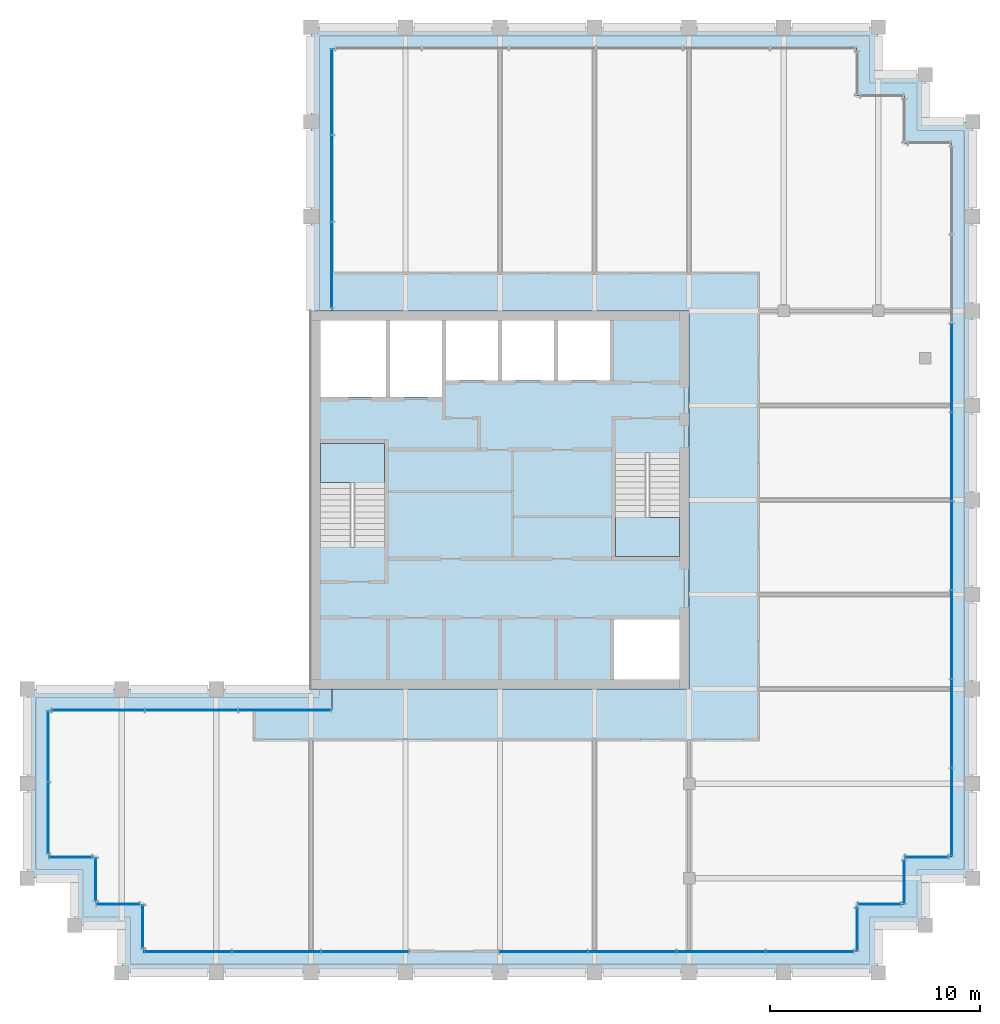
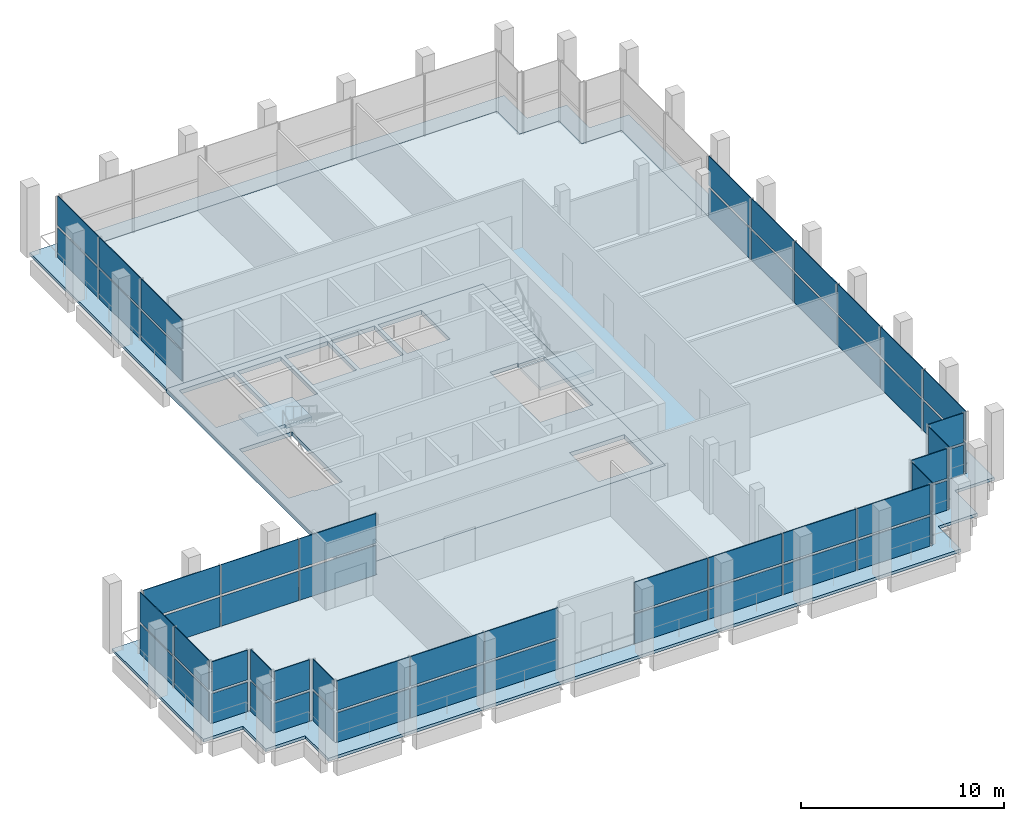
# One storey, part 13 of 17: 58 plates, 5 slabs, 16 elements without a shape of their own.
"""IFC4 building model written with IfcOpenShell, lengths in metres."""

import ifcopenshell
import ifcopenshell.guid

model = None  # the IFC model being written
_history = None  # IfcOwnerHistory: only IFC2X3 demands one
_inside = {}  # id of a spatial element -> (the spatial element, [elements in it])
_under = {}  # id of a project, library or spatial element -> (it, [spatial elements below it])
_declared = {}  # id of a project -> (the project, [libraries it declares])
_typed = {}  # id of a type object -> (the type object, [elements of that type])
_made_of = {}  # id of a material, layer set ... -> (it, [elements and type objects made of it])


def new_model(schema):
    """Start an empty IFC model of exactly this schema.

    Asked for "IFC4X3", IfcOpenShell would pick the latest addendum, in which some entities
    have other attributes; the version numbers below select the first issue.
    IFC2X3 requires an IfcOwnerHistory on every rooted entity: one is made here for all.
    """
    global model, _history
    if schema == "IFC4X3":
        model = ifcopenshell.file(schema_version=(4, 3, 0, 0))
    else:
        model = ifcopenshell.file(schema=schema)
    _inside.clear()
    _under.clear()
    _declared.clear()
    _typed.clear()
    _made_of.clear()
    _history = None
    if model.schema == "IFC2X3":
        org = make("IfcOrganization", Name="unknown")
        user = make(
            "IfcPersonAndOrganization",
            ThePerson=make("IfcPerson", FamilyName="unknown"),
            TheOrganization=org,
        )
        app = make(
            "IfcApplication",
            ApplicationDeveloper=org,
            Version="unknown",
            ApplicationFullName="unknown",
            ApplicationIdentifier="unknown",
        )
        _history = make(
            "IfcOwnerHistory",
            OwningUser=user,
            OwningApplication=app,
            ChangeAction="ADDED",
            CreationDate=0,
        )
    return model


def make(cls, **values):
    """One entity of the class cls with the attributes given. An attribute that is None is left unset."""
    return model.create_entity(
        cls, **{name: value for name, value in values.items() if value is not None}
    )


def rooted(cls, **values):
    """An entity with a GlobalId (a new one), such as an element, a storey or a relation."""
    return make(cls, GlobalId=ifcopenshell.guid.new(), OwnerHistory=_history, **values)


def si_unit(unit_type, name, prefix=None):
    """IfcSIUnit, for example si_unit("LENGTHUNIT", "METRE", prefix="MILLI")."""
    return make("IfcSIUnit", UnitType=unit_type, Prefix=prefix, Name=name)


def assignment(units):
    """IfcUnitAssignment: the units of a project."""
    return None if units is None else make("IfcUnitAssignment", Units=units)


def point(xyz):
    """IfcCartesianPoint."""
    return None if xyz is None else make("IfcCartesianPoint", Coordinates=xyz)


def direction(xyz):
    """IfcDirection."""
    return None if xyz is None else make("IfcDirection", DirectionRatios=xyz)


def frame(location, z_axis=None, x_axis=None):
    """IfcAxis2Placement3D, a coordinate frame: its origin and axes. An axis left out is left unset."""
    return make(
        "IfcAxis2Placement3D",
        Location=point(location),
        Axis=direction(z_axis),
        RefDirection=direction(x_axis),
    )


def frame_2d(location, x_axis=None):
    """IfcAxis2Placement2D, a coordinate frame in the plane: its origin and x axis."""
    return make(
        "IfcAxis2Placement2D", Location=point(location), RefDirection=direction(x_axis)
    )


def origin():
    """The frame at (0, 0, 0) with its axes left unset."""
    return frame((0.0, 0.0, 0.0))


def origin_2d():
    """The frame at (0, 0) in the plane with its x axis left unset."""
    return frame_2d((0.0, 0.0))


def place(relative_to, where):
    """IfcLocalPlacement: puts the frame where relative to a parent placement (None: the world)."""
    return make(
        "IfcLocalPlacement", PlacementRelTo=relative_to, RelativePlacement=where
    )


def context(
    kind, dimensions, precision=None, world=None, true_north=None, identifier=None
):
    """IfcGeometricRepresentationContext, for example the 3D "Model" context."""
    return make(
        "IfcGeometricRepresentationContext",
        ContextIdentifier=identifier,
        ContextType=kind,
        CoordinateSpaceDimension=dimensions,
        Precision=precision,
        WorldCoordinateSystem=world,
        TrueNorth=true_north,
    )


def subcontext(parent, identifier, kind, view, scale=None):
    """IfcGeometricRepresentationSubContext, for example "Body" below "Model"."""
    return make(
        "IfcGeometricRepresentationSubContext",
        ContextIdentifier=identifier,
        ContextType=kind,
        ParentContext=parent,
        TargetScale=scale,
        TargetView=view,
    )


def project(units=None, contexts=None):
    """IfcProject with its units and contexts."""
    return rooted(
        "IfcProject",
        Name="project",
        RepresentationContexts=contexts,
        UnitsInContext=assignment(units),
    )


def spatial(cls, under=None, at=None, **own):
    """A site, building, storey or space (cls), placed at a placement, below another one or the project."""
    s = rooted(cls, ObjectPlacement=at, **own)
    if under is not None:
        _under.setdefault(under.id(), (under, []))[1].append(s)
    return s


def polyline(points):
    """IfcPolyline through the points."""
    return make("IfcPolyline", Points=[point(p) for p in points])


def profile(cls, at=None, kind="AREA", **sizes):
    """A parametric profile (cls). Its sizes go by their IFC names, for example OverallWidth=200.0."""
    return make(cls, ProfileType=kind, Position=at, **sizes)


def rectangle(**sizes):
    """IfcRectangleProfileDef."""
    return profile("IfcRectangleProfileDef", **sizes)


def outline(outer, holes=None, kind="AREA"):
    """IfcArbitraryClosedProfileDef: a profile drawn as a closed curve; with holes, ...WithVoids."""
    if holes is None:
        return make("IfcArbitraryClosedProfileDef", ProfileType=kind, OuterCurve=outer)
    return make(
        "IfcArbitraryProfileDefWithVoids",
        ProfileType=kind,
        OuterCurve=outer,
        InnerCurves=holes,
    )


def extrude(swept, where, along, depth):
    """IfcExtrudedAreaSolid: the profile swept, set in the frame where, extruded along a direction by depth."""
    return make(
        "IfcExtrudedAreaSolid",
        SweptArea=swept,
        Position=where,
        ExtrudedDirection=direction(along),
        Depth=depth,
    )


def shape(context_of_items, identifier, shape_type, items):
    """IfcShapeRepresentation: the items that make up one representation, for example the "Body"."""
    return make(
        "IfcShapeRepresentation",
        ContextOfItems=context_of_items,
        RepresentationIdentifier=identifier,
        RepresentationType=shape_type,
        Items=items,
    )


def material(Name=None, Category=None):
    """IfcMaterial."""
    return make("IfcMaterial", Name=Name, Category=Category)


def layer(
    of_material, thickness, ventilated=None, Name=None, Category=None, Priority=None
):
    """IfcMaterialLayer: one layer of a wall or slab, of a material (None: an air gap)."""
    return make(
        "IfcMaterialLayer",
        Material=of_material,
        LayerThickness=thickness,
        IsVentilated=ventilated,
        Name=Name,
        Category=Category,
        Priority=Priority,
    )


def layer_set(layers, Name=None):
    """IfcMaterialLayerSet."""
    return make("IfcMaterialLayerSet", MaterialLayers=layers, LayerSetName=Name)


def made_of(thing, what):
    """Note that an element or type object is made of a material, layer set ...; save() writes the relation."""
    if what is not None:
        _made_of.setdefault(what.id(), (what, []))[1].append(thing)
    return thing


def type_object(cls, material=None, **own):
    """A type object (cls), such as IfcWallType, which elements share."""
    return made_of(rooted(cls, **own), material)


def element(
    cls,
    number,
    at=None,
    inside=None,
    cuts=None,
    type_object=None,
    material=None,
    context=None,
    identifier="Body",
    shape_type=None,
    held_by="IfcProductDefinitionShape",
    body=None,
    shapes=None,
    **own,
):
    """One element of the class cls, such as IfcWall. Its Tag is "e" and its number.

    at: its placement. inside: the storey or other place that contains it. cuts: it is an
    opening in that element (IfcRelVoidsElement). A single representation is given by context,
    identifier, shape_type and body (its items); several are given by shapes. held_by: the class
    of the entity that holds the representations. save() writes the other relations.
    """
    e = rooted(cls, Tag="e%d" % number, ObjectPlacement=at, **own)
    if body is not None:
        shapes = [shape(context, identifier, shape_type, body)]
    if shapes is not None:
        e.Representation = make(held_by, Representations=shapes)
    if inside is not None:
        _inside.setdefault(inside.id(), (inside, []))[1].append(e)
    if cuts is not None:
        rooted(
            "IfcRelVoidsElement", RelatingBuildingElement=cuts, RelatedOpeningElement=e
        )
    if type_object is not None:
        _typed.setdefault(type_object.id(), (type_object, []))[1].append(e)
    return made_of(e, material)


def aggregate(whole, parts):
    """IfcRelAggregates: a whole, such as a stair, and the parts it consists of."""
    return rooted("IfcRelAggregates", RelatingObject=whole, RelatedObjects=parts)


def save(model, path):
    """Write the relations noted so far, then the file.

    IfcRelAggregates (storeys below a building ...), IfcRelContainedInSpatialStructure (elements
    in a storey), IfcRelDefinesByType, IfcRelAssociatesMaterial and IfcRelDeclares: one each for
    every whole, place, type object, material and project.
    """
    for whole, parts in _under.values():
        aggregate(whole, parts)
    for where, things in _inside.values():
        rooted(
            "IfcRelContainedInSpatialStructure",
            RelatedElements=things,
            RelatingStructure=where,
        )
    for kind, things in _typed.values():
        rooted("IfcRelDefinesByType", RelatedObjects=things, RelatingType=kind)
    for what, things in _made_of.values():
        rooted("IfcRelAssociatesMaterial", RelatedObjects=things, RelatingMaterial=what)
    for by, libraries in _declared.values():
        rooted("IfcRelDeclares", RelatingContext=by, RelatedDefinitions=libraries)
    model.write(path)


model = new_model("IFC4")

# Units and contexts
model_context = context("Model", 3, precision=1e-05, world=origin(), true_north=direction((0.0, 1.0)))
body_context = subcontext(model_context, "Body", "Model", "MODEL_VIEW")
ifc_project = project(units=[si_unit("LENGTHUNIT", "METRE"), si_unit("AREAUNIT", "SQUARE_METRE"), si_unit("VOLUMEUNIT", "CUBIC_METRE"), si_unit("PLANEANGLEUNIT", "RADIAN"), si_unit("MASSUNIT", "GRAM", prefix="KILO")], contexts=[model_context])

# Site, building, storey
site_placement = place(None, origin())
site = spatial("IfcSite", under=ifc_project, at=site_placement, CompositionType="ELEMENT")
building_placement = place(site_placement, origin())
building = spatial("IfcBuilding", under=site, at=building_placement, Name="Altepetl Exchange Towers", CompositionType="ELEMENT")
storey_placement = place(building_placement, frame((0.0, 0.0, 251.0)))
storey = spatial("IfcBuildingStorey", under=building, at=storey_placement, Name="L64", CompositionType="ELEMENT", Elevation=251.0)

# Slabs
ifc_material_1 = material(Name="Concrete C40/50", Category="concrete")
ifc_layer_1 = layer(ifc_material_1, 0.175048828125)
ifc_layer_set_1 = layer_set([ifc_layer_1], Name="Concrete C40/50")
slab_type_1 = type_object("IfcSlabType", Name="Composite floor slab 175", PredefinedType="FLOOR", material=ifc_layer_set_1)
slab_1_placement = place(storey_placement, frame((0.0, 0.0, -0.175048828125)))
element("IfcSlab", 1, at=slab_1_placement, inside=storey, type_object=slab_type_1, Name="slab:A:L64:strip0", PredefinedType="FLOOR", context=body_context, shape_type="SweptSolid", body=[
    extrude(outline(polyline([(41.5, 71.0), (41.5, 58.5), (58.5, 58.5), (58.5, 40.5), (41.5, 40.5), (41.5, 39.5), (28.0, 39.5), (28.0, 32.5), (30.25, 32.5), (30.25, 30.25), (32.5, 30.25), (32.5, 28.0), (66.5, 28.0), (66.5, 30.25), (68.75, 30.25), (68.75, 32.5), (71.0, 32.5), (71.0, 66.5), (68.75, 66.5), (68.75, 68.75), (66.5, 68.75), (66.5, 71.0), (41.5, 71.0)])), origin(), (0.0, 0.0, 1.0), 0.175048828125),
])
ifc_layer_2 = layer(ifc_material_1, 0.25)
ifc_layer_set_2 = layer_set([ifc_layer_2], Name="Concrete C40/50")
slab_type_2 = type_object("IfcSlabType", Name="Core floor slab 250", PredefinedType="FLOOR", material=ifc_layer_set_2)
slab_2_placement = place(storey_placement, frame((0.0, 0.0, -0.25)))
element("IfcSlab", 2, at=slab_2_placement, inside=storey, type_object=slab_type_2, Name="slab:A:L64:core0", PredefinedType="FLOOR", context=body_context, shape_type="SweptSolid", body=[
    extrude(outline(polyline([(40.5, 40.5), (58.5, 40.5), (58.5, 58.5), (40.5, 58.5), (40.5, 40.5)]), holes=[polyline([(54.93310546875, 43.800048828125), (58.050048828125, 43.800048828125), (58.050048828125, 40.949951171875), (54.93310546875, 40.949951171875), (54.93310546875, 43.800048828125)]), polyline([(55.0, 51.7490234375), (56.574951171875, 51.7490234375), (56.574951171875, 51.64990234375), (58.0, 51.64990234375), (58.0, 46.800048828125), (55.0, 46.800048828125), (55.0, 51.7490234375)]), polyline([(44.0, 47.2509765625), (42.425048828125, 47.2509765625), (42.425048828125, 47.35009765625), (41.0, 47.35009765625), (41.0, 52.199951171875), (44.0, 52.199951171875), (44.0, 47.2509765625)]), polyline([(40.949951171875, 58.050048828125), (44.06689453125, 58.050048828125), (44.06689453125, 54.39990234375), (40.949951171875, 54.39990234375), (40.949951171875, 58.050048828125)]), polyline([(44.26708984375, 58.050048828125), (46.73291015625, 58.050048828125), (46.73291015625, 54.39990234375), (44.26708984375, 54.39990234375), (44.26708984375, 58.050048828125)]), polyline([(46.93310546875, 58.050048828125), (49.39990234375, 58.050048828125), (49.39990234375, 55.199951171875), (46.93310546875, 55.199951171875), (46.93310546875, 58.050048828125)]), polyline([(49.60009765625, 58.050048828125), (52.06689453125, 58.050048828125), (52.06689453125, 55.199951171875), (49.60009765625, 55.199951171875), (49.60009765625, 58.050048828125)]), polyline([(52.26708984375, 58.050048828125), (54.73291015625, 58.050048828125), (54.73291015625, 55.199951171875), (52.26708984375, 55.199951171875), (52.26708984375, 58.050048828125)])]), origin(), (0.0, 0.0, 1.0), 0.25),
])

# Curtain wall, plates
ifc_material_2 = material(Name="Aluminium 6063-T6 glazing", Category="aluminium")
curtain_wall_type = type_object("IfcCurtainWallType", Name="Executive flush glazing system", PredefinedType="NOTDEFINED", material=ifc_material_2)
curtain_wall_1_placement = place(storey_placement, origin())
curtain_wall_1 = element("IfcCurtainWall", 3, at=curtain_wall_1_placement, inside=storey, type_object=curtain_wall_type, Name="CW4 run", PredefinedType="NOTDEFINED")
ifc_material_3 = material(Name="Glass 10-24-10 laminated", Category="glass")
ifc_layer_3 = layer(ifc_material_3, 0.0439453125)
ifc_layer_set_3 = layer_set([ifc_layer_3], Name="Glass 10-24-10 laminated")
plate_type = type_object("IfcPlateType", Name="Glass panel 44 laminated", PredefinedType="CURTAIN_PANEL", material=ifc_layer_set_3)
plate_1_placement = place(storey_placement, frame((39.255859375, 39.5, 0.0), z_axis=(0.0, 0.0, 1.0), x_axis=(-1.0, 0.0, 0.0)))
plate_1 = element("IfcPlate", 4, at=plate_1_placement, type_object=plate_type, Name="GP3 panel", PredefinedType="CURTAIN_PANEL", context=body_context, shape_type="SweptSolid", body=[
    extrude(rectangle(XDim=4.368408203125, YDim=0.0439453125, at=origin_2d()), origin(), (0.0, 0.0, 1.0), 1.780029296875),
])
plate_2_placement = place(storey_placement, frame((39.255859375, 39.5, 1.919921875), z_axis=(0.0, 0.0, 1.0), x_axis=(-1.0, 0.0, 0.0)))
plate_2 = element("IfcPlate", 5, at=plate_2_placement, type_object=plate_type, Name="GP3 panel", PredefinedType="CURTAIN_PANEL", context=body_context, shape_type="SweptSolid", body=[
    extrude(rectangle(XDim=4.368408203125, YDim=0.0439453125, at=origin_2d()), origin(), (0.0, 0.0, 1.0), 1.780029296875),
])
plate_3_placement = place(storey_placement, frame((34.8125, 39.5, 0.0), z_axis=(0.0, 0.0, 1.0), x_axis=(-1.0, 0.0, 0.0)))
plate_3 = element("IfcPlate", 6, at=plate_3_placement, type_object=plate_type, Name="GP3 panel", PredefinedType="CURTAIN_PANEL", context=body_context, shape_type="SweptSolid", body=[
    extrude(rectangle(XDim=4.3984375, YDim=0.0439453125, at=origin_2d()), origin(), (0.0, 0.0, 1.0), 1.780029296875),
])
plate_4_placement = place(storey_placement, frame((34.8125, 39.5, 1.919921875), z_axis=(0.0, 0.0, 1.0), x_axis=(-1.0, 0.0, 0.0)))
plate_4 = element("IfcPlate", 7, at=plate_4_placement, type_object=plate_type, Name="GP3 panel", PredefinedType="CURTAIN_PANEL", context=body_context, shape_type="SweptSolid", body=[
    extrude(rectangle(XDim=4.3984375, YDim=0.0439453125, at=origin_2d()), origin(), (0.0, 0.0, 1.0), 1.780029296875),
])
plate_5_placement = place(storey_placement, frame((30.369140625, 39.5, 0.0), z_axis=(0.0, 0.0, 1.0), x_axis=(-1.0, 0.0, 0.0)))
plate_5 = element("IfcPlate", 8, at=plate_5_placement, type_object=plate_type, Name="GP3 panel", PredefinedType="CURTAIN_PANEL", context=body_context, shape_type="SweptSolid", body=[
    extrude(rectangle(XDim=4.368408203125, YDim=0.0439453125, at=origin_2d()), origin(), (0.0, 0.0, 1.0), 1.780029296875),
])
plate_6_placement = place(storey_placement, frame((30.369140625, 39.5, 1.919921875), z_axis=(0.0, 0.0, 1.0), x_axis=(-1.0, 0.0, 0.0)))
plate_6 = element("IfcPlate", 9, at=plate_6_placement, type_object=plate_type, Name="GP3 panel", PredefinedType="CURTAIN_PANEL", context=body_context, shape_type="SweptSolid", body=[
    extrude(rectangle(XDim=4.368408203125, YDim=0.0439453125, at=origin_2d()), origin(), (0.0, 0.0, 1.0), 1.780029296875),
])
aggregate(curtain_wall_1, [plate_1, plate_2, plate_3, plate_4, plate_5, plate_6])

curtain_wall_2_placement = place(storey_placement, origin())
curtain_wall_2 = element("IfcCurtainWall", 10, at=curtain_wall_2_placement, inside=storey, type_object=curtain_wall_type, Name="CW4 run", PredefinedType="NOTDEFINED")
plate_7_placement = place(storey_placement, frame((28.0, 37.766357421875, 0.0), z_axis=(0.0, 0.0, 1.0), x_axis=(0.0, -1.0, 0.0)))
plate_7 = element("IfcPlate", 11, at=plate_7_placement, type_object=plate_type, Name="GP3 panel", PredefinedType="CURTAIN_PANEL", context=body_context, shape_type="SweptSolid", body=[
    extrude(rectangle(XDim=3.347412109375, YDim=0.0439453125, at=origin_2d()), origin(), (0.0, 0.0, 1.0), 1.780029296875),
])
plate_8_placement = place(storey_placement, frame((28.0, 37.766357421875, 1.919921875), z_axis=(0.0, 0.0, 1.0), x_axis=(0.0, -1.0, 0.0)))
plate_8 = element("IfcPlate", 12, at=plate_8_placement, type_object=plate_type, Name="GP3 panel", PredefinedType="CURTAIN_PANEL", context=body_context, shape_type="SweptSolid", body=[
    extrude(rectangle(XDim=3.347412109375, YDim=0.0439453125, at=origin_2d()), origin(), (0.0, 0.0, 1.0), 1.780029296875),
])
plate_9_placement = place(storey_placement, frame((28.0, 34.358642578125, 0.0), z_axis=(0.0, 0.0, 1.0), x_axis=(0.0, -1.0, 0.0)))
plate_9 = element("IfcPlate", 13, at=plate_9_placement, type_object=plate_type, Name="GP3 panel", PredefinedType="CURTAIN_PANEL", context=body_context, shape_type="SweptSolid", body=[
    extrude(rectangle(XDim=3.347412109375, YDim=0.0439453125, at=origin_2d()), origin(), (0.0, 0.0, 1.0), 1.780029296875),
])
plate_10_placement = place(storey_placement, frame((28.0, 34.358642578125, 1.919921875), z_axis=(0.0, 0.0, 1.0), x_axis=(0.0, -1.0, 0.0)))
plate_10 = element("IfcPlate", 14, at=plate_10_placement, type_object=plate_type, Name="GP3 panel", PredefinedType="CURTAIN_PANEL", context=body_context, shape_type="SweptSolid", body=[
    extrude(rectangle(XDim=3.347412109375, YDim=0.0439453125, at=origin_2d()), origin(), (0.0, 0.0, 1.0), 1.780029296875),
])
aggregate(curtain_wall_2, [plate_7, plate_8, plate_9, plate_10])

curtain_wall_3_placement = place(storey_placement, origin())
curtain_wall_3 = element("IfcCurtainWall", 15, at=curtain_wall_3_placement, inside=storey, type_object=curtain_wall_type, Name="CW4 run", PredefinedType="NOTDEFINED")
plate_11_placement = place(storey_placement, frame((29.0625, 32.5, 0.0)))
plate_11 = element("IfcPlate", 16, at=plate_11_placement, type_object=plate_type, Name="GP3 panel", PredefinedType="CURTAIN_PANEL", context=body_context, shape_type="SweptSolid", body=[
    extrude(rectangle(XDim=2.0048828125, YDim=0.0439453125, at=origin_2d()), origin(), (0.0, 0.0, 1.0), 1.780029296875),
])
plate_12_placement = place(storey_placement, frame((29.0625, 32.5, 1.919921875)))
plate_12 = element("IfcPlate", 17, at=plate_12_placement, type_object=plate_type, Name="GP3 panel", PredefinedType="CURTAIN_PANEL", context=body_context, shape_type="SweptSolid", body=[
    extrude(rectangle(XDim=2.0048828125, YDim=0.0439453125, at=origin_2d()), origin(), (0.0, 0.0, 1.0), 1.780029296875),
])
aggregate(curtain_wall_3, [plate_11, plate_12])

curtain_wall_4_placement = place(storey_placement, origin())
curtain_wall_4 = element("IfcCurtainWall", 18, at=curtain_wall_4_placement, inside=storey, type_object=curtain_wall_type, Name="CW4 run", PredefinedType="NOTDEFINED")
plate_13_placement = place(storey_placement, frame((30.25, 31.4375, 0.0), z_axis=(0.0, 0.0, 1.0), x_axis=(0.0, -1.0, 0.0)))
plate_13 = element("IfcPlate", 19, at=plate_13_placement, type_object=plate_type, Name="GP3 panel", PredefinedType="CURTAIN_PANEL", context=body_context, shape_type="SweptSolid", body=[
    extrude(rectangle(XDim=2.0048828125, YDim=0.0439453125, at=origin_2d()), origin(), (0.0, 0.0, 1.0), 1.780029296875),
])
plate_14_placement = place(storey_placement, frame((30.25, 31.4375, 1.919921875), z_axis=(0.0, 0.0, 1.0), x_axis=(0.0, -1.0, 0.0)))
plate_14 = element("IfcPlate", 20, at=plate_14_placement, type_object=plate_type, Name="GP3 panel", PredefinedType="CURTAIN_PANEL", context=body_context, shape_type="SweptSolid", body=[
    extrude(rectangle(XDim=2.0048828125, YDim=0.0439453125, at=origin_2d()), origin(), (0.0, 0.0, 1.0), 1.780029296875),
])
aggregate(curtain_wall_4, [plate_13, plate_14])

curtain_wall_5_placement = place(storey_placement, origin())
curtain_wall_5 = element("IfcCurtainWall", 21, at=curtain_wall_5_placement, inside=storey, type_object=curtain_wall_type, Name="CW4 run", PredefinedType="NOTDEFINED")
plate_15_placement = place(storey_placement, frame((31.3125, 30.25, 0.0)))
plate_15 = element("IfcPlate", 22, at=plate_15_placement, type_object=plate_type, Name="GP3 panel", PredefinedType="CURTAIN_PANEL", context=body_context, shape_type="SweptSolid", body=[
    extrude(rectangle(XDim=2.0048828125, YDim=0.0439453125, at=origin_2d()), origin(), (0.0, 0.0, 1.0), 1.780029296875),
])
plate_16_placement = place(storey_placement, frame((31.3125, 30.25, 1.919921875)))
plate_16 = element("IfcPlate", 23, at=plate_16_placement, type_object=plate_type, Name="GP3 panel", PredefinedType="CURTAIN_PANEL", context=body_context, shape_type="SweptSolid", body=[
    extrude(rectangle(XDim=2.0048828125, YDim=0.0439453125, at=origin_2d()), origin(), (0.0, 0.0, 1.0), 1.780029296875),
])
aggregate(curtain_wall_5, [plate_15, plate_16])

curtain_wall_6_placement = place(storey_placement, origin())
curtain_wall_6 = element("IfcCurtainWall", 24, at=curtain_wall_6_placement, inside=storey, type_object=curtain_wall_type, Name="CW4 run", PredefinedType="NOTDEFINED")
plate_17_placement = place(storey_placement, frame((32.5, 29.1875, 0.0), z_axis=(0.0, 0.0, 1.0), x_axis=(0.0, -1.0, 0.0)))
plate_17 = element("IfcPlate", 25, at=plate_17_placement, type_object=plate_type, Name="GP3 panel", PredefinedType="CURTAIN_PANEL", context=body_context, shape_type="SweptSolid", body=[
    extrude(rectangle(XDim=2.0048828125, YDim=0.0439453125, at=origin_2d()), origin(), (0.0, 0.0, 1.0), 1.780029296875),
])
plate_18_placement = place(storey_placement, frame((32.5, 29.1875, 1.919921875), z_axis=(0.0, 0.0, 1.0), x_axis=(0.0, -1.0, 0.0)))
plate_18 = element("IfcPlate", 26, at=plate_18_placement, type_object=plate_type, Name="GP3 panel", PredefinedType="CURTAIN_PANEL", context=body_context, shape_type="SweptSolid", body=[
    extrude(rectangle(XDim=2.0048828125, YDim=0.0439453125, at=origin_2d()), origin(), (0.0, 0.0, 1.0), 1.780029296875),
])
aggregate(curtain_wall_6, [plate_17, plate_18])

curtain_wall_7_placement = place(storey_placement, origin())
curtain_wall_7 = element("IfcCurtainWall", 27, at=curtain_wall_7_placement, inside=storey, type_object=curtain_wall_type, Name="CW4 run", PredefinedType="NOTDEFINED")
plate_19_placement = place(storey_placement, frame((34.632080078125, 28.0, 0.0)))
plate_19 = element("IfcPlate", 28, at=plate_19_placement, type_object=plate_type, Name="GP3 panel", PredefinedType="CURTAIN_PANEL", context=body_context, shape_type="SweptSolid", body=[
    extrude(rectangle(XDim=4.144287109375, YDim=0.0439453125, at=origin_2d()), origin(), (0.0, 0.0, 1.0), 1.780029296875),
])
plate_20_placement = place(storey_placement, frame((34.632080078125, 28.0, 1.919921875)))
plate_20 = element("IfcPlate", 29, at=plate_20_placement, type_object=plate_type, Name="GP3 panel", PredefinedType="CURTAIN_PANEL", context=body_context, shape_type="SweptSolid", body=[
    extrude(rectangle(XDim=4.144287109375, YDim=0.0439453125, at=origin_2d()), origin(), (0.0, 0.0, 1.0), 1.780029296875),
])
plate_21_placement = place(storey_placement, frame((38.8515625, 28.0, 0.0)))
plate_21 = element("IfcPlate", 30, at=plate_21_placement, type_object=plate_type, Name="GP3 panel", PredefinedType="CURTAIN_PANEL", context=body_context, shape_type="SweptSolid", body=[
    extrude(rectangle(XDim=4.17431640625, YDim=0.0439453125, at=origin_2d()), origin(), (0.0, 0.0, 1.0), 1.780029296875),
])
plate_22_placement = place(storey_placement, frame((38.8515625, 28.0, 1.919921875)))
plate_22 = element("IfcPlate", 31, at=plate_22_placement, type_object=plate_type, Name="GP3 panel", PredefinedType="CURTAIN_PANEL", context=body_context, shape_type="SweptSolid", body=[
    extrude(rectangle(XDim=4.17431640625, YDim=0.0439453125, at=origin_2d()), origin(), (0.0, 0.0, 1.0), 1.780029296875),
])
plate_23_placement = place(storey_placement, frame((43.071044921875, 28.0, 0.0)))
plate_23 = element("IfcPlate", 32, at=plate_23_placement, type_object=plate_type, Name="GP3 panel", PredefinedType="CURTAIN_PANEL", context=body_context, shape_type="SweptSolid", body=[
    extrude(rectangle(XDim=4.144287109375, YDim=0.0439453125, at=origin_2d()), origin(), (0.0, 0.0, 1.0), 1.780029296875),
])
plate_24_placement = place(storey_placement, frame((43.071044921875, 28.0, 1.919921875)))
plate_24 = element("IfcPlate", 33, at=plate_24_placement, type_object=plate_type, Name="GP3 panel", PredefinedType="CURTAIN_PANEL", context=body_context, shape_type="SweptSolid", body=[
    extrude(rectangle(XDim=4.144287109375, YDim=0.0439453125, at=origin_2d()), origin(), (0.0, 0.0, 1.0), 1.780029296875),
])
aggregate(curtain_wall_7, [plate_19, plate_20, plate_21, plate_22, plate_23, plate_24])

curtain_wall_8_placement = place(storey_placement, origin())
curtain_wall_8 = element("IfcCurtainWall", 34, at=curtain_wall_8_placement, inside=storey, type_object=curtain_wall_type, Name="CW4 run", PredefinedType="NOTDEFINED")
plate_25_placement = place(storey_placement, frame((51.569580078125, 28.0, 0.0)))
plate_25 = element("IfcPlate", 35, at=plate_25_placement, type_object=plate_type, Name="GP3 panel", PredefinedType="CURTAIN_PANEL", context=body_context, shape_type="SweptSolid", body=[
    extrude(rectangle(XDim=4.144287109375, YDim=0.0439453125, at=origin_2d()), origin(), (0.0, 0.0, 1.0), 1.780029296875),
])
plate_26_placement = place(storey_placement, frame((51.569580078125, 28.0, 1.919921875)))
plate_26 = element("IfcPlate", 36, at=plate_26_placement, type_object=plate_type, Name="GP3 panel", PredefinedType="CURTAIN_PANEL", context=body_context, shape_type="SweptSolid", body=[
    extrude(rectangle(XDim=4.144287109375, YDim=0.0439453125, at=origin_2d()), origin(), (0.0, 0.0, 1.0), 1.780029296875),
])
plate_27_placement = place(storey_placement, frame((55.7890625, 28.0, 0.0)))
plate_27 = element("IfcPlate", 37, at=plate_27_placement, type_object=plate_type, Name="GP3 panel", PredefinedType="CURTAIN_PANEL", context=body_context, shape_type="SweptSolid", body=[
    extrude(rectangle(XDim=4.17431640625, YDim=0.0439453125, at=origin_2d()), origin(), (0.0, 0.0, 1.0), 1.780029296875),
])
plate_28_placement = place(storey_placement, frame((55.7890625, 28.0, 1.919921875)))
plate_28 = element("IfcPlate", 38, at=plate_28_placement, type_object=plate_type, Name="GP3 panel", PredefinedType="CURTAIN_PANEL", context=body_context, shape_type="SweptSolid", body=[
    extrude(rectangle(XDim=4.17431640625, YDim=0.0439453125, at=origin_2d()), origin(), (0.0, 0.0, 1.0), 1.780029296875),
])
plate_29_placement = place(storey_placement, frame((60.0234375, 28.0, 0.0)))
plate_29 = element("IfcPlate", 39, at=plate_29_placement, type_object=plate_type, Name="GP3 panel", PredefinedType="CURTAIN_PANEL", context=body_context, shape_type="SweptSolid", body=[
    extrude(rectangle(XDim=4.17431640625, YDim=0.0439453125, at=origin_2d()), origin(), (0.0, 0.0, 1.0), 1.780029296875),
])
plate_30_placement = place(storey_placement, frame((60.0234375, 28.0, 1.919921875)))
plate_30 = element("IfcPlate", 40, at=plate_30_placement, type_object=plate_type, Name="GP3 panel", PredefinedType="CURTAIN_PANEL", context=body_context, shape_type="SweptSolid", body=[
    extrude(rectangle(XDim=4.17431640625, YDim=0.0439453125, at=origin_2d()), origin(), (0.0, 0.0, 1.0), 1.780029296875),
])
plate_31_placement = place(storey_placement, frame((64.242919921875, 28.0, 0.0)))
plate_31 = element("IfcPlate", 41, at=plate_31_placement, type_object=plate_type, Name="GP3 panel", PredefinedType="CURTAIN_PANEL", context=body_context, shape_type="SweptSolid", body=[
    extrude(rectangle(XDim=4.144287109375, YDim=0.0439453125, at=origin_2d()), origin(), (0.0, 0.0, 1.0), 1.780029296875),
])
plate_32_placement = place(storey_placement, frame((64.242919921875, 28.0, 1.919921875)))
plate_32 = element("IfcPlate", 42, at=plate_32_placement, type_object=plate_type, Name="GP3 panel", PredefinedType="CURTAIN_PANEL", context=body_context, shape_type="SweptSolid", body=[
    extrude(rectangle(XDim=4.144287109375, YDim=0.0439453125, at=origin_2d()), origin(), (0.0, 0.0, 1.0), 1.780029296875),
])
aggregate(curtain_wall_8, [plate_25, plate_26, plate_27, plate_28, plate_29, plate_30, plate_31, plate_32])

curtain_wall_9_placement = place(storey_placement, origin())
curtain_wall_9 = element("IfcCurtainWall", 43, at=curtain_wall_9_placement, inside=storey, type_object=curtain_wall_type, Name="CW4 run", PredefinedType="NOTDEFINED")
plate_33_placement = place(storey_placement, frame((66.5, 29.0625, 0.0), z_axis=(0.0, 0.0, 1.0), x_axis=(0.0, 1.0, 0.0)))
plate_33 = element("IfcPlate", 44, at=plate_33_placement, type_object=plate_type, Name="GP3 panel", PredefinedType="CURTAIN_PANEL", context=body_context, shape_type="SweptSolid", body=[
    extrude(rectangle(XDim=2.0048828125, YDim=0.0439453125, at=origin_2d()), origin(), (0.0, 0.0, 1.0), 1.780029296875),
])
plate_34_placement = place(storey_placement, frame((66.5, 29.0625, 1.919921875), z_axis=(0.0, 0.0, 1.0), x_axis=(0.0, 1.0, 0.0)))
plate_34 = element("IfcPlate", 45, at=plate_34_placement, type_object=plate_type, Name="GP3 panel", PredefinedType="CURTAIN_PANEL", context=body_context, shape_type="SweptSolid", body=[
    extrude(rectangle(XDim=2.0048828125, YDim=0.0439453125, at=origin_2d()), origin(), (0.0, 0.0, 1.0), 1.780029296875),
])
aggregate(curtain_wall_9, [plate_33, plate_34])

curtain_wall_10_placement = place(storey_placement, origin())
curtain_wall_10 = element("IfcCurtainWall", 46, at=curtain_wall_10_placement, inside=storey, type_object=curtain_wall_type, Name="CW4 run", PredefinedType="NOTDEFINED")
plate_35_placement = place(storey_placement, frame((67.5625, 30.25, 0.0)))
plate_35 = element("IfcPlate", 47, at=plate_35_placement, type_object=plate_type, Name="GP3 panel", PredefinedType="CURTAIN_PANEL", context=body_context, shape_type="SweptSolid", body=[
    extrude(rectangle(XDim=2.0048828125, YDim=0.0439453125, at=origin_2d()), origin(), (0.0, 0.0, 1.0), 1.780029296875),
])
plate_36_placement = place(storey_placement, frame((67.5625, 30.25, 1.919921875)))
plate_36 = element("IfcPlate", 48, at=plate_36_placement, type_object=plate_type, Name="GP3 panel", PredefinedType="CURTAIN_PANEL", context=body_context, shape_type="SweptSolid", body=[
    extrude(rectangle(XDim=2.0048828125, YDim=0.0439453125, at=origin_2d()), origin(), (0.0, 0.0, 1.0), 1.780029296875),
])
aggregate(curtain_wall_10, [plate_35, plate_36])

curtain_wall_11_placement = place(storey_placement, origin())
curtain_wall_11 = element("IfcCurtainWall", 49, at=curtain_wall_11_placement, inside=storey, type_object=curtain_wall_type, Name="CW4 run", PredefinedType="NOTDEFINED")
plate_37_placement = place(storey_placement, frame((68.75, 31.3125, 0.0), z_axis=(0.0, 0.0, 1.0), x_axis=(0.0, 1.0, 0.0)))
plate_37 = element("IfcPlate", 50, at=plate_37_placement, type_object=plate_type, Name="GP3 panel", PredefinedType="CURTAIN_PANEL", context=body_context, shape_type="SweptSolid", body=[
    extrude(rectangle(XDim=2.0048828125, YDim=0.0439453125, at=origin_2d()), origin(), (0.0, 0.0, 1.0), 1.780029296875),
])
plate_38_placement = place(storey_placement, frame((68.75, 31.3125, 1.919921875), z_axis=(0.0, 0.0, 1.0), x_axis=(0.0, 1.0, 0.0)))
plate_38 = element("IfcPlate", 51, at=plate_38_placement, type_object=plate_type, Name="GP3 panel", PredefinedType="CURTAIN_PANEL", context=body_context, shape_type="SweptSolid", body=[
    extrude(rectangle(XDim=2.0048828125, YDim=0.0439453125, at=origin_2d()), origin(), (0.0, 0.0, 1.0), 1.780029296875),
])
aggregate(curtain_wall_11, [plate_37, plate_38])

curtain_wall_12_placement = place(storey_placement, origin())
curtain_wall_12 = element("IfcCurtainWall", 52, at=curtain_wall_12_placement, inside=storey, type_object=curtain_wall_type, Name="CW4 run", PredefinedType="NOTDEFINED")
plate_39_placement = place(storey_placement, frame((69.8125, 32.5, 0.0)))
plate_39 = element("IfcPlate", 53, at=plate_39_placement, type_object=plate_type, Name="GP3 panel", PredefinedType="CURTAIN_PANEL", context=body_context, shape_type="SweptSolid", body=[
    extrude(rectangle(XDim=2.0048828125, YDim=0.0439453125, at=origin_2d()), origin(), (0.0, 0.0, 1.0), 1.780029296875),
])
plate_40_placement = place(storey_placement, frame((69.8125, 32.5, 1.919921875)))
plate_40 = element("IfcPlate", 54, at=plate_40_placement, type_object=plate_type, Name="GP3 panel", PredefinedType="CURTAIN_PANEL", context=body_context, shape_type="SweptSolid", body=[
    extrude(rectangle(XDim=2.0048828125, YDim=0.0439453125, at=origin_2d()), origin(), (0.0, 0.0, 1.0), 1.780029296875),
])
aggregate(curtain_wall_12, [plate_39, plate_40])

curtain_wall_13_placement = place(storey_placement, origin())
curtain_wall_13 = element("IfcCurtainWall", 55, at=curtain_wall_13_placement, inside=storey, type_object=curtain_wall_type, Name="CW4 run", PredefinedType="NOTDEFINED")
plate_41_placement = place(storey_placement, frame((71.0, 34.632080078125, 0.0), z_axis=(0.0, 0.0, 1.0), x_axis=(0.0, 1.0, 0.0)))
plate_41 = element("IfcPlate", 56, at=plate_41_placement, type_object=plate_type, Name="GP3 panel", PredefinedType="CURTAIN_PANEL", context=body_context, shape_type="SweptSolid", body=[
    extrude(rectangle(XDim=4.144287109375, YDim=0.0439453125, at=origin_2d()), origin(), (0.0, 0.0, 1.0), 1.780029296875),
])
plate_42_placement = place(storey_placement, frame((71.0, 34.632080078125, 1.919921875), z_axis=(0.0, 0.0, 1.0), x_axis=(0.0, 1.0, 0.0)))
plate_42 = element("IfcPlate", 57, at=plate_42_placement, type_object=plate_type, Name="GP3 panel", PredefinedType="CURTAIN_PANEL", context=body_context, shape_type="SweptSolid", body=[
    extrude(rectangle(XDim=4.144287109375, YDim=0.0439453125, at=origin_2d()), origin(), (0.0, 0.0, 1.0), 1.780029296875),
])
plate_43_placement = place(storey_placement, frame((71.0, 38.8515625, 0.0), z_axis=(0.0, 0.0, 1.0), x_axis=(0.0, 1.0, 0.0)))
plate_43 = element("IfcPlate", 58, at=plate_43_placement, type_object=plate_type, Name="GP3 panel", PredefinedType="CURTAIN_PANEL", context=body_context, shape_type="SweptSolid", body=[
    extrude(rectangle(XDim=4.17431640625, YDim=0.0439453125, at=origin_2d()), origin(), (0.0, 0.0, 1.0), 1.780029296875),
])
plate_44_placement = place(storey_placement, frame((71.0, 38.8515625, 1.919921875), z_axis=(0.0, 0.0, 1.0), x_axis=(0.0, 1.0, 0.0)))
plate_44 = element("IfcPlate", 59, at=plate_44_placement, type_object=plate_type, Name="GP3 panel", PredefinedType="CURTAIN_PANEL", context=body_context, shape_type="SweptSolid", body=[
    extrude(rectangle(XDim=4.17431640625, YDim=0.0439453125, at=origin_2d()), origin(), (0.0, 0.0, 1.0), 1.780029296875),
])
plate_45_placement = place(storey_placement, frame((71.0, 43.0859375, 0.0), z_axis=(0.0, 0.0, 1.0), x_axis=(0.0, 1.0, 0.0)))
plate_45 = element("IfcPlate", 60, at=plate_45_placement, type_object=plate_type, Name="GP3 panel", PredefinedType="CURTAIN_PANEL", context=body_context, shape_type="SweptSolid", body=[
    extrude(rectangle(XDim=4.17431640625, YDim=0.0439453125, at=origin_2d()), origin(), (0.0, 0.0, 1.0), 1.780029296875),
])
plate_46_placement = place(storey_placement, frame((71.0, 43.0859375, 1.919921875), z_axis=(0.0, 0.0, 1.0), x_axis=(0.0, 1.0, 0.0)))
plate_46 = element("IfcPlate", 61, at=plate_46_placement, type_object=plate_type, Name="GP3 panel", PredefinedType="CURTAIN_PANEL", context=body_context, shape_type="SweptSolid", body=[
    extrude(rectangle(XDim=4.17431640625, YDim=0.0439453125, at=origin_2d()), origin(), (0.0, 0.0, 1.0), 1.780029296875),
])
plate_47_placement = place(storey_placement, frame((71.0, 47.3203125, 0.0), z_axis=(0.0, 0.0, 1.0), x_axis=(0.0, 1.0, 0.0)))
plate_47 = element("IfcPlate", 62, at=plate_47_placement, type_object=plate_type, Name="GP3 panel", PredefinedType="CURTAIN_PANEL", context=body_context, shape_type="SweptSolid", body=[
    extrude(rectangle(XDim=4.17431640625, YDim=0.0439453125, at=origin_2d()), origin(), (0.0, 0.0, 1.0), 1.780029296875),
])
plate_48_placement = place(storey_placement, frame((71.0, 47.3203125, 1.919921875), z_axis=(0.0, 0.0, 1.0), x_axis=(0.0, 1.0, 0.0)))
plate_48 = element("IfcPlate", 63, at=plate_48_placement, type_object=plate_type, Name="GP3 panel", PredefinedType="CURTAIN_PANEL", context=body_context, shape_type="SweptSolid", body=[
    extrude(rectangle(XDim=4.17431640625, YDim=0.0439453125, at=origin_2d()), origin(), (0.0, 0.0, 1.0), 1.780029296875),
])
plate_49_placement = place(storey_placement, frame((71.0, 51.5546875, 0.0), z_axis=(0.0, 0.0, 1.0), x_axis=(0.0, 1.0, 0.0)))
plate_49 = element("IfcPlate", 64, at=plate_49_placement, type_object=plate_type, Name="GP3 panel", PredefinedType="CURTAIN_PANEL", context=body_context, shape_type="SweptSolid", body=[
    extrude(rectangle(XDim=4.17431640625, YDim=0.0439453125, at=origin_2d()), origin(), (0.0, 0.0, 1.0), 1.780029296875),
])
plate_50_placement = place(storey_placement, frame((71.0, 51.5546875, 1.919921875), z_axis=(0.0, 0.0, 1.0), x_axis=(0.0, 1.0, 0.0)))
plate_50 = element("IfcPlate", 65, at=plate_50_placement, type_object=plate_type, Name="GP3 panel", PredefinedType="CURTAIN_PANEL", context=body_context, shape_type="SweptSolid", body=[
    extrude(rectangle(XDim=4.17431640625, YDim=0.0439453125, at=origin_2d()), origin(), (0.0, 0.0, 1.0), 1.780029296875),
])
plate_51_placement = place(storey_placement, frame((71.0, 55.7890625, 0.0), z_axis=(0.0, 0.0, 1.0), x_axis=(0.0, 1.0, 0.0)))
plate_51 = element("IfcPlate", 66, at=plate_51_placement, type_object=plate_type, Name="GP3 panel", PredefinedType="CURTAIN_PANEL", context=body_context, shape_type="SweptSolid", body=[
    extrude(rectangle(XDim=4.17431640625, YDim=0.0439453125, at=origin_2d()), origin(), (0.0, 0.0, 1.0), 1.780029296875),
])
plate_52_placement = place(storey_placement, frame((71.0, 55.7890625, 1.919921875), z_axis=(0.0, 0.0, 1.0), x_axis=(0.0, 1.0, 0.0)))
plate_52 = element("IfcPlate", 67, at=plate_52_placement, type_object=plate_type, Name="GP3 panel", PredefinedType="CURTAIN_PANEL", context=body_context, shape_type="SweptSolid", body=[
    extrude(rectangle(XDim=4.17431640625, YDim=0.0439453125, at=origin_2d()), origin(), (0.0, 0.0, 1.0), 1.780029296875),
])
aggregate(curtain_wall_13, [plate_41, plate_42, plate_43, plate_44, plate_45, plate_46, plate_47, plate_48, plate_49, plate_50, plate_51, plate_52])

curtain_wall_14_placement = place(storey_placement, origin())
curtain_wall_14 = element("IfcCurtainWall", 68, at=curtain_wall_14_placement, inside=storey, type_object=curtain_wall_type, Name="CW4 run", PredefinedType="NOTDEFINED")
plate_53_placement = place(storey_placement, frame((41.5, 68.922607421875, 0.0), z_axis=(0.0, 0.0, 1.0), x_axis=(0.0, -1.0, 0.0)))
plate_53 = element("IfcPlate", 69, at=plate_53_placement, type_object=plate_type, Name="GP3 panel", PredefinedType="CURTAIN_PANEL", context=body_context, shape_type="SweptSolid", body=[
    extrude(rectangle(XDim=4.034912109375, YDim=0.0439453125, at=origin_2d()), origin(), (0.0, 0.0, 1.0), 1.780029296875),
])
plate_54_placement = place(storey_placement, frame((41.5, 68.922607421875, 1.919921875), z_axis=(0.0, 0.0, 1.0), x_axis=(0.0, -1.0, 0.0)))
plate_54 = element("IfcPlate", 70, at=plate_54_placement, type_object=plate_type, Name="GP3 panel", PredefinedType="CURTAIN_PANEL", context=body_context, shape_type="SweptSolid", body=[
    extrude(rectangle(XDim=4.034912109375, YDim=0.0439453125, at=origin_2d()), origin(), (0.0, 0.0, 1.0), 1.780029296875),
])
plate_55_placement = place(storey_placement, frame((41.5, 64.8125, 0.0), z_axis=(0.0, 0.0, 1.0), x_axis=(0.0, -1.0, 0.0)))
plate_55 = element("IfcPlate", 71, at=plate_55_placement, type_object=plate_type, Name="GP3 panel", PredefinedType="CURTAIN_PANEL", context=body_context, shape_type="SweptSolid", body=[
    extrude(rectangle(XDim=4.06494140625, YDim=0.0439453125, at=origin_2d()), origin(), (0.0, 0.0, 1.0), 1.780029296875),
])
plate_56_placement = place(storey_placement, frame((41.5, 64.8125, 1.919921875), z_axis=(0.0, 0.0, 1.0), x_axis=(0.0, -1.0, 0.0)))
plate_56 = element("IfcPlate", 72, at=plate_56_placement, type_object=plate_type, Name="GP3 panel", PredefinedType="CURTAIN_PANEL", context=body_context, shape_type="SweptSolid", body=[
    extrude(rectangle(XDim=4.06494140625, YDim=0.0439453125, at=origin_2d()), origin(), (0.0, 0.0, 1.0), 1.780029296875),
])
plate_57_placement = place(storey_placement, frame((41.5, 60.702392578125, 0.0), z_axis=(0.0, 0.0, 1.0), x_axis=(0.0, -1.0, 0.0)))
plate_57 = element("IfcPlate", 73, at=plate_57_placement, type_object=plate_type, Name="GP3 panel", PredefinedType="CURTAIN_PANEL", context=body_context, shape_type="SweptSolid", body=[
    extrude(rectangle(XDim=4.034912109375, YDim=0.0439453125, at=origin_2d()), origin(), (0.0, 0.0, 1.0), 1.780029296875),
])
plate_58_placement = place(storey_placement, frame((41.5, 60.702392578125, 1.919921875), z_axis=(0.0, 0.0, 1.0), x_axis=(0.0, -1.0, 0.0)))
plate_58 = element("IfcPlate", 74, at=plate_58_placement, type_object=plate_type, Name="GP3 panel", PredefinedType="CURTAIN_PANEL", context=body_context, shape_type="SweptSolid", body=[
    extrude(rectangle(XDim=4.034912109375, YDim=0.0439453125, at=origin_2d()), origin(), (0.0, 0.0, 1.0), 1.780029296875),
])
aggregate(curtain_wall_14, [plate_53, plate_54, plate_55, plate_56, plate_57, plate_58])

# Slab
ifc_layer_4 = layer(ifc_material_1, 0.175048828125)
ifc_layer_set_4 = layer_set([ifc_layer_4], Name="Concrete C40/50")
slab_type_3 = type_object("IfcSlabType", Name="Loggia slab 175", PredefinedType="FLOOR", material=ifc_layer_set_4)
slab_3_placement = place(storey_placement, frame((0.0, 0.0, -0.175048828125)))
element("IfcSlab", 75, at=slab_3_placement, inside=storey, type_object=slab_type_3, Name="slab:A:L64:loggia0", PredefinedType="FLOOR", context=body_context, shape_type="SweptSolid", body=[
    extrude(outline(polyline([(40.5, 72.0), (40.5, 58.5), (41.5, 58.5), (41.5, 71.0), (66.5, 71.0), (66.5, 68.75), (68.75, 68.75), (68.75, 66.5), (71.0, 66.5), (71.0, 32.5), (68.75, 32.5), (68.75, 30.25), (66.5, 30.25), (66.5, 28.0), (32.5, 28.0), (32.5, 30.25), (30.25, 30.25), (30.25, 32.5), (28.0, 32.5), (28.0, 39.5), (41.5, 39.5), (41.5, 40.5), (40.5, 40.5), (27.0, 40.5), (27.0, 31.5), (29.25, 31.5), (29.25, 29.25), (31.5, 29.25), (31.5, 27.0), (58.5, 27.0), (67.5, 27.0), (67.5, 29.25), (69.75, 29.25), (69.75, 31.5), (72.0, 31.5), (72.0, 58.5), (72.0, 67.5), (69.75, 67.5), (69.75, 69.75), (67.5, 69.75), (67.5, 72.0), (40.5, 72.0)])), origin(), (0.0, 0.0, 1.0), 0.175048828125),
])

# Stair, slab
stair_type = type_object("IfcStairType", Name="Exit stair 1475 flights dogleg", PredefinedType="HALF_TURN_STAIR", material=ifc_material_1)
stair_1_placement = place(storey_placement, origin())
stair_1 = element("IfcStair", 76, at=stair_1_placement, inside=storey, type_object=stair_type, Name="Exit stair 1", PredefinedType="HALF_TURN_STAIR")
ifc_layer_5 = layer(ifc_material_1, 0.199951171875)
ifc_layer_set_5 = layer_set([ifc_layer_5], Name="Concrete C40/50")
slab_type_4 = type_object("IfcSlabType", Name="Stair landing 200 reinforced concrete", PredefinedType="LANDING", material=ifc_layer_set_5)
slab_4_placement = place(storey_placement, frame((0.0, 0.0, 1.89990234375)))
slab_4 = element("IfcSlab", 77, at=slab_4_placement, type_object=slab_type_4, Name="ST-A1g landing 1", PredefinedType="LANDING", context=body_context, shape_type="SweptSolid", body=[
    extrude(outline(polyline([(44.0, 50.22998046875), (42.52490234375, 50.22998046875), (42.52490234375, 50.330078125), (42.425048828125, 50.330078125), (42.425048828125, 50.329345703125), (40.949951171875, 50.329345703125), (40.949951171875, 50.330078125), (40.949951171875, 52.199951171875), (44.0, 52.199951171875), (44.0, 50.330078125), (44.0, 50.22998046875)])), origin(), (0.0, 0.0, 1.0), 0.2001953125),
])
aggregate(stair_1, [slab_4])

stair_2_placement = place(storey_placement, origin())
stair_2 = element("IfcStair", 78, at=stair_2_placement, inside=storey, type_object=stair_type, Name="Exit stair 2", PredefinedType="HALF_TURN_STAIR")
slab_5_placement = place(storey_placement, frame((0.0, 0.0, 1.89990234375)))
slab_5 = element("IfcSlab", 79, at=slab_5_placement, type_object=slab_type_4, Name="ST-A2g landing 1", PredefinedType="LANDING", context=body_context, shape_type="SweptSolid", body=[
    extrude(outline(polyline([(58.050048828125, 46.800048828125), (55.0, 46.800048828125), (55.0, 48.669921875), (55.0, 48.77001953125), (56.47509765625, 48.77001953125), (56.47509765625, 48.669921875), (56.574951171875, 48.669921875), (56.574951171875, 48.670654296875), (58.050048828125, 48.670654296875), (58.050048828125, 48.669921875), (58.050048828125, 46.800048828125)])), origin(), (0.0, 0.0, 1.0), 0.2001953125),
])
aggregate(stair_2, [slab_5])

save(model, "model.ifc")
